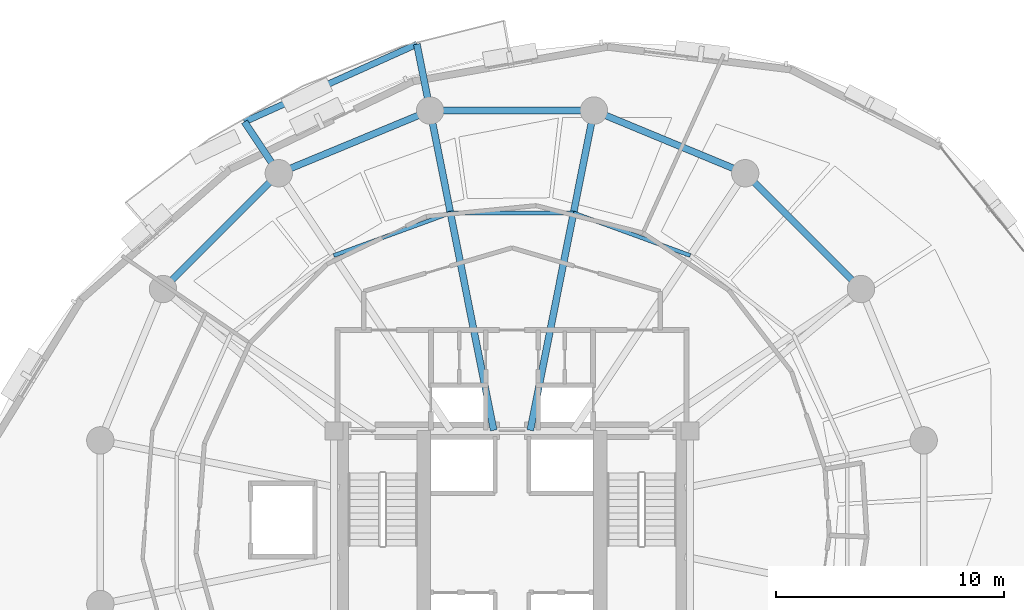
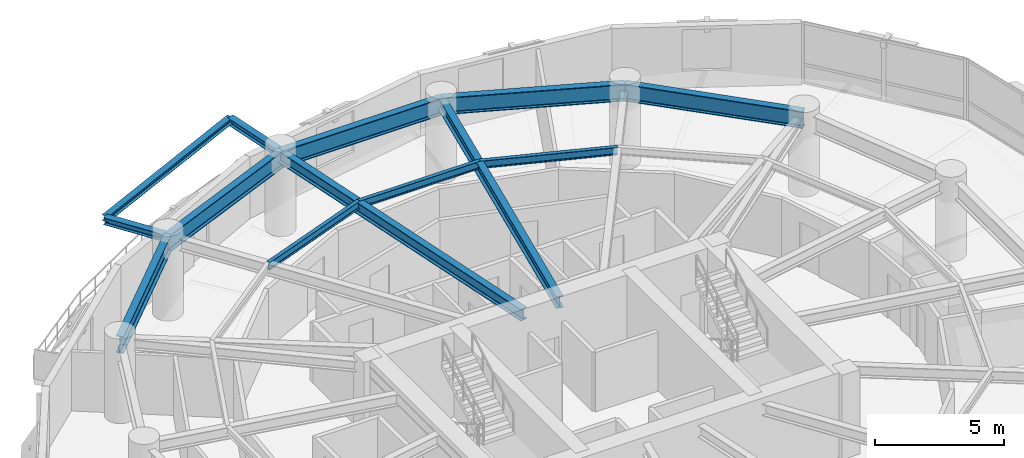
# One storey, part 7 of 15: 13 beams.
"""IFC4 building model written with IfcOpenShell, lengths in metres."""

from ifc_helpers import new_model, si_unit, direction, frame, origin, origin_2d, place, context, subcontext, project, spatial, i_section, extrude, material, material_profile, profile_set, type_object, element, save


model = new_model("IFC4")

# Units and contexts
model_context = context("Model", 3, precision=1e-05, world=origin(), true_north=direction((0.0, 1.0)))
body_context = subcontext(model_context, "Body", "Model", "MODEL_VIEW")
ifc_project = project(units=[si_unit("LENGTHUNIT", "METRE"), si_unit("AREAUNIT", "SQUARE_METRE"), si_unit("VOLUMEUNIT", "CUBIC_METRE"), si_unit("PLANEANGLEUNIT", "RADIAN"), si_unit("MASSUNIT", "GRAM", prefix="KILO"), si_unit("THERMODYNAMICTEMPERATUREUNIT", "KELVIN"), si_unit("POWERUNIT", "WATT")], contexts=[model_context])

# Site, building, storey
site_placement = place(None, origin())
site = spatial("IfcSite", under=ifc_project, at=site_placement, CompositionType="ELEMENT")
building_placement = place(site_placement, origin())
building = spatial("IfcBuilding", under=site, at=building_placement, Name="Ocrelia Relay Tower", CompositionType="ELEMENT")
storey_placement = place(building_placement, frame((0.0, 0.0, 141.800048828125)))
storey = spatial("IfcBuildingStorey", under=building, at=storey_placement, Name="L33", CompositionType="ELEMENT", Elevation=141.800048828125)

# Beams
ifc_material = material(Name="Steel S355", Category="steel")
ifc_material_profile_1 = material_profile(ifc_material, i_section(OverallWidth=0.280029296875, OverallDepth=0.27001953125, WebThickness=0.008056640625, FlangeThickness=0.012939453125, FilletRadius=0.02392578125, at=origin_2d()), Name="HEA 280")
ifc_profile_set_1 = profile_set([ifc_material_profile_1], Name="Steel S355")
beam_type_1 = type_object("IfcBeamType", Name="BM-HEA280", PredefinedType="BEAM", material=ifc_profile_set_1)
beam_1_placement = place(storey_placement, frame((29.831298828125, 46.956787109375, 3.5849609375), z_axis=(-0.911836082093, -0.410554453627, 0.0), x_axis=(0.410554453627, -0.911836082093, 0.0)))
element("IfcBeam", 1, at=beam_1_placement, inside=storey, type_object=beam_type_1, Name="L34 Balcony Edge Trimmer Beam B1", PredefinedType="BEAM", context=body_context, shape_type="SweptSolid", body=[
    extrude(i_section(OverallWidth=0.280029296875, OverallDepth=0.27001953125, WebThickness=0.008056640625, FlangeThickness=0.012939453125, FilletRadius=0.02392578125, at=origin_2d()), origin(), (0.0, 0.0, 1.0), 8.290771484375),
])
ifc_material_profile_2 = material_profile(ifc_material, i_section(OverallWidth=0.300048828125, OverallDepth=0.330078125, WebThickness=0.009521484375, FlangeThickness=0.0166015625, FilletRadius=0.027099609375, at=origin_2d()), Name="HEA 340")
ifc_profile_set_2 = profile_set([ifc_material_profile_2], Name="Steel S355")
beam_type_2 = type_object("IfcBeamType", Name="BM-HEA340", PredefinedType="BEAM", material=ifc_profile_set_2)
beam_2_placement = place(storey_placement, frame((30.410400390625, 44.04638671875, 3.554931640625), z_axis=(-0.195150917727, 0.980773225221, 0.0), x_axis=(-0.980773225221, -0.195150917727, 0.0)))
element("IfcBeam", 2, at=beam_2_placement, inside=storey, type_object=beam_type_2, Name="L34 Balcony Cantilever Beam B1-1", PredefinedType="BEAM", context=body_context, shape_type="SweptSolid", body=[
    extrude(i_section(OverallWidth=0.300048828125, OverallDepth=0.330078125, WebThickness=0.009521484375, FlangeThickness=0.0166015625, FilletRadius=0.027099609375, at=origin_2d()), origin(), (0.0, 0.0, 1.0), 2.967529296875),
])
beam_3_placement = place(storey_placement, frame((23.777587890625, 41.299072265625, 3.554931640625), z_axis=(-0.555593570168, 0.831454018445, 0.0), x_axis=(-0.831454018445, -0.555593570168, 0.0)))
element("IfcBeam", 3, at=beam_3_placement, inside=storey, type_object=beam_type_2, Name="L34 Balcony Cantilever Beam B1-2", PredefinedType="BEAM", context=body_context, shape_type="SweptSolid", body=[
    extrude(i_section(OverallWidth=0.300048828125, OverallDepth=0.330078125, WebThickness=0.009521484375, FlangeThickness=0.0166015625, FilletRadius=0.027099609375, at=origin_2d()), origin(), (0.0, 0.0, 1.0), 2.710693359375),
])
ifc_material_profile_3 = material_profile(ifc_material, i_section(OverallWidth=0.300048828125, OverallDepth=0.550048828125, WebThickness=0.014892578125, FlangeThickness=0.029052734375, FilletRadius=0.027099609375, at=origin_2d()), Name="HEB 550")
ifc_profile_set_3 = profile_set([ifc_material_profile_3], Name="Steel S355")
beam_type_3 = type_object("IfcBeamType", Name="BM-HEB550", PredefinedType="BEAM", material=ifc_profile_set_3)
for number, where, z_axis, x_axis, name in (
    (4, (37.589599609375, 44.04638671875, 3.445068359375), (-0.195094300142, -0.980784489096, 0.0), (0.980784489096, -0.195094300142, 0.0), "L33 Radial Floor Girder R04"),
    (5, (30.410400390625, 44.04638671875, 3.445068359375), (0.195094300142, -0.980784489096, 0.0), (0.980784489096, 0.195094300142, 0.0), "L33 Radial Floor Girder R05"),
):
    element("IfcBeam", number, at=place(storey_placement, frame(where, z_axis=z_axis, x_axis=x_axis)), inside=storey, type_object=beam_type_3, Name=name, PredefinedType="BEAM", context=body_context, shape_type="SweptSolid", body=[
        extrude(i_section(OverallWidth=0.300048828125, OverallDepth=0.550048828125, WebThickness=0.014892578125, FlangeThickness=0.029052734375, FilletRadius=0.027099609375, at=origin_2d()), origin(), (0.0, 0.0, 1.0), 14.291015625),
    ])
ifc_material_profile_4 = material_profile(ifc_material, i_section(OverallWidth=0.300048828125, OverallDepth=0.800048828125, WebThickness=0.017578125, FlangeThickness=0.032958984375, FilletRadius=0.030029296875, at=origin_2d()), Name="HEB 800")
ifc_profile_set_4 = profile_set([ifc_material_profile_4], Name="Steel S355")
beam_type_4 = type_object("IfcBeamType", Name="BM-HEB800", PredefinedType="BEAM", material=ifc_profile_set_4)
beam_4_placement = place(storey_placement, frame((49.299072265625, 36.222412109375, 3.320068359375), z_axis=(-0.707106781187, 0.707106781187, 0.0), x_axis=(-0.707106781187, -0.707106781187, 0.0)))
element("IfcBeam", 6, at=beam_4_placement, inside=storey, type_object=beam_type_4, Name="L33 Perimeter Spandrel Beam S02", PredefinedType="BEAM", context=body_context, shape_type="SweptSolid", body=[
    extrude(i_section(OverallWidth=0.300048828125, OverallDepth=0.800048828125, WebThickness=0.017578125, FlangeThickness=0.032958984375, FilletRadius=0.030029296875, at=origin_2d()), origin(), (0.0, 0.0, 1.0), 7.179443359375),
])
for number, where, z_axis, x_axis, name in (
    (7, (44.222412109375, 41.299072265625, 3.320068359375), (-0.923883789366, 0.382673155247, 0.0), (-0.382673155247, -0.923883789366, 0.0), "L33 Perimeter Spandrel Beam S03"),
    (8, (37.589599609375, 44.04638671875, 3.320068359375), (-1.0, 0.0, 0.0), (0.0, -1.0, 0.0), "L33 Perimeter Spandrel Beam S04"),
    (9, (30.410400390625, 44.04638671875, 3.320068359375), (-0.923883789366, -0.382673155247, 0.0), (0.382673155247, -0.923883789366, 0.0), "L33 Perimeter Spandrel Beam S05"),
):
    element("IfcBeam", number, at=place(storey_placement, frame(where, z_axis=z_axis, x_axis=x_axis)), inside=storey, type_object=beam_type_4, Name=name, PredefinedType="BEAM", context=body_context, shape_type="SweptSolid", body=[
        extrude(i_section(OverallWidth=0.300048828125, OverallDepth=0.800048828125, WebThickness=0.017578125, FlangeThickness=0.032958984375, FilletRadius=0.030029296875, at=origin_2d()), origin(), (0.0, 0.0, 1.0), 7.17919921875),
    ])
beam_5_placement = place(storey_placement, frame((23.777587890625, 41.299072265625, 3.320068359375), z_axis=(-0.707106781187, -0.707106781187, 0.0), x_axis=(0.707106781187, -0.707106781187, 0.0)))
element("IfcBeam", 10, at=beam_5_placement, inside=storey, type_object=beam_type_4, Name="L33 Perimeter Spandrel Beam S06", PredefinedType="BEAM", context=body_context, shape_type="SweptSolid", body=[
    extrude(i_section(OverallWidth=0.300048828125, OverallDepth=0.800048828125, WebThickness=0.017578125, FlangeThickness=0.032958984375, FilletRadius=0.030029296875, at=origin_2d()), origin(), (0.0, 0.0, 1.0), 7.179443359375),
])
ifc_material_profile_5 = material_profile(ifc_material, i_section(OverallWidth=0.169921875, OverallDepth=0.360107421875, WebThickness=0.008056640625, FlangeThickness=0.0126953125, FilletRadius=0.01806640625, at=origin_2d()), Name="IPE 360")
ifc_profile_set_5 = profile_set([ifc_material_profile_5], Name="Steel S355")
beam_type_5 = type_object("IfcBeamType", Name="BM-IPE360", PredefinedType="JOIST", material=ifc_profile_set_5)
beam_6_placement = place(storey_placement, frame((41.81298828125, 37.69287109375, 3.5400390625), z_axis=(-0.93930687927, 0.34307810562, 0.0), x_axis=(-0.34307810562, -0.93930687927, 0.0)))
element("IfcBeam", 11, at=beam_6_placement, inside=storey, type_object=beam_type_5, Name="L33 Secondary Floor Joist J03", PredefinedType="JOIST", context=body_context, shape_type="SweptSolid", body=[
    extrude(i_section(OverallWidth=0.169921875, OverallDepth=0.360107421875, WebThickness=0.008056640625, FlangeThickness=0.0126953125, FilletRadius=0.01806640625, at=origin_2d()), origin(), (0.0, 0.0, 1.0), 5.446044921875),
])
beam_7_placement = place(storey_placement, frame((36.697509765625, 39.561279296875, 3.5400390625), z_axis=(-1.0, 0.0, 0.0), x_axis=(0.0, -1.0, 0.0)))
element("IfcBeam", 12, at=beam_7_placement, inside=storey, type_object=beam_type_5, Name="L33 Secondary Floor Joist J04", PredefinedType="JOIST", context=body_context, shape_type="SweptSolid", body=[
    extrude(i_section(OverallWidth=0.169921875, OverallDepth=0.360107421875, WebThickness=0.008056640625, FlangeThickness=0.0126953125, FilletRadius=0.01806640625, at=origin_2d()), origin(), (0.0, 0.0, 1.0), 5.39501953125),
])
beam_8_placement = place(storey_placement, frame((31.302490234375, 39.561279296875, 3.5400390625), z_axis=(-0.93930687927, -0.34307810562, 0.0), x_axis=(0.34307810562, -0.93930687927, 0.0)))
element("IfcBeam", 13, at=beam_8_placement, inside=storey, type_object=beam_type_5, Name="L33 Secondary Floor Joist J05", PredefinedType="JOIST", context=body_context, shape_type="SweptSolid", body=[
    extrude(i_section(OverallWidth=0.169921875, OverallDepth=0.360107421875, WebThickness=0.008056640625, FlangeThickness=0.0126953125, FilletRadius=0.01806640625, at=origin_2d()), origin(), (0.0, 0.0, 1.0), 5.446044921875),
])

save(model, "model.ifc")
